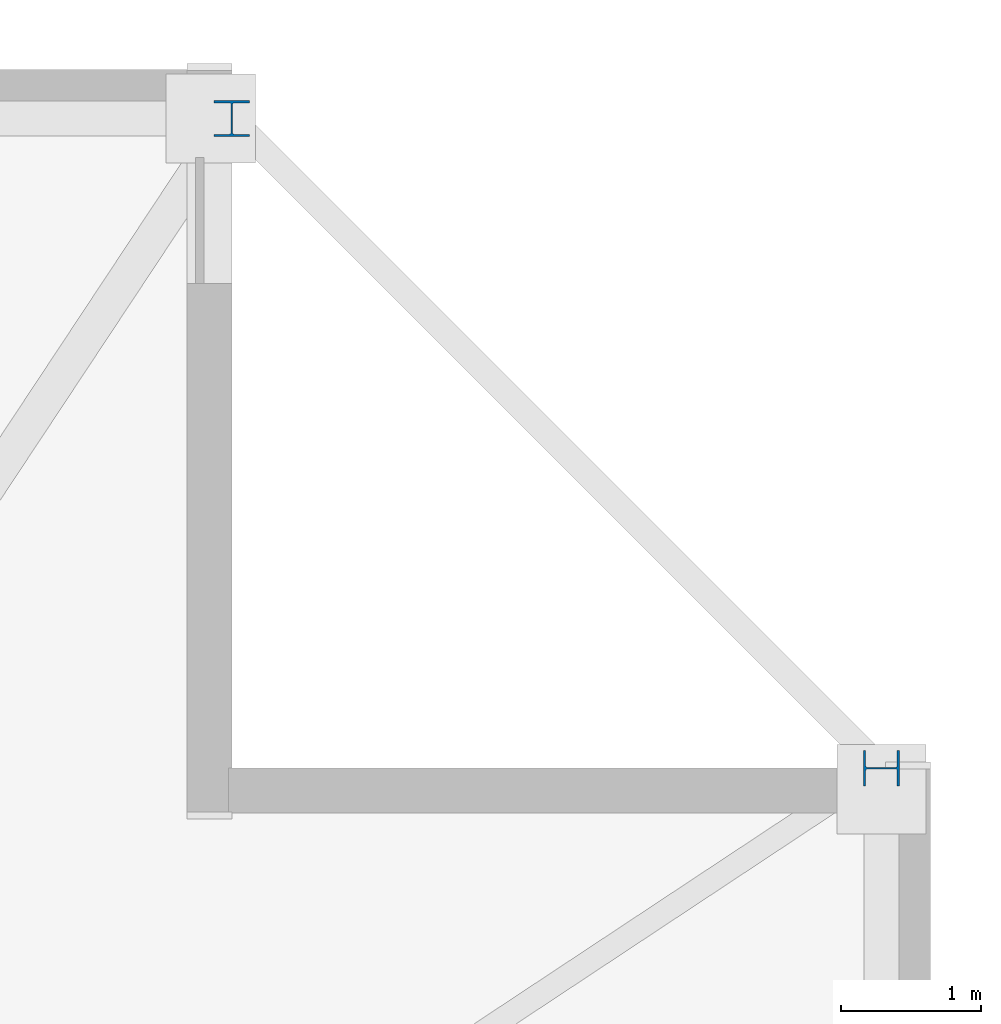
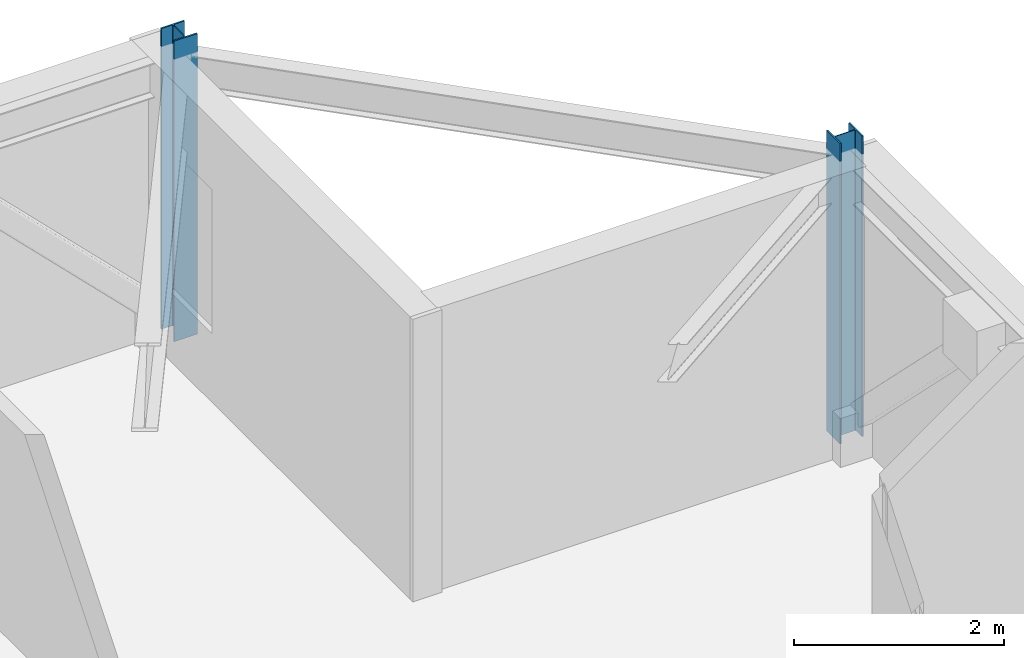
# One storey, part 5 of 17: 2 columns.
"""IFC4 building model written with IfcOpenShell, lengths in metres."""

from ifc_helpers import new_model, si_unit, direction, frame, origin, origin_2d, place, context, subcontext, project, spatial, i_section, extrude, material, material_profile, profile_set, type_object, element, save


model = new_model("IFC4")

# Units and contexts
model_context = context("Model", 3, precision=1e-05, world=origin(), true_north=direction((0.0, 1.0)))
body_context = subcontext(model_context, "Body", "Model", "MODEL_VIEW")
ifc_project = project(units=[si_unit("LENGTHUNIT", "METRE"), si_unit("AREAUNIT", "SQUARE_METRE"), si_unit("VOLUMEUNIT", "CUBIC_METRE"), si_unit("PLANEANGLEUNIT", "RADIAN"), si_unit("MASSUNIT", "GRAM", prefix="KILO")], contexts=[model_context])

# Site, building, storey
site_placement = place(None, origin())
site = spatial("IfcSite", under=ifc_project, at=site_placement, CompositionType="ELEMENT")
building_placement = place(site_placement, origin())
building = spatial("IfcBuilding", under=site, at=building_placement, Name="Cairnveth Concourse Tower", CompositionType="ELEMENT")
storey_placement = place(building_placement, frame((0.0, 0.0, 237.5)))
storey = spatial("IfcBuildingStorey", under=building, at=storey_placement, Name="L65", CompositionType="ELEMENT", Elevation=237.5)

# Columns
ifc_material = material(Name="Steel Grade 350", Category="steel")
ifc_material_profile = material_profile(ifc_material, i_section(OverallWidth=0.256103515625, OverallDepth=0.260009765625, WebThickness=0.010498046875, FlangeThickness=0.017333984375, FilletRadius=0.012939453125, at=origin_2d()), Name="250UC89.5")
ifc_profile_set = profile_set([ifc_material_profile], Name="Steel Grade 350")
column_type = type_object("IfcColumnType", Name="UNIVERSAL STEEL COLUMN 250UC89.5", PredefinedType="COLUMN", material=ifc_profile_set)
for number, where, z_axis, x_axis, name in (
    (1, (74.14990234375, 56.5, 0.0), (0.0, 0.0, 1.0), (0.0, 1.0, 0.0), "Column P-E4 L65"),
    (2, (69.5, 61.14990234375, 0.0), (0.0, 0.0, 1.0), (1.0, 0.0, 0.0), "Column P-N1 L65"),
):
    element("IfcColumn", number, at=place(storey_placement, frame(where, z_axis=z_axis, x_axis=x_axis)), inside=storey, type_object=column_type, Name=name, PredefinedType="COLUMN", context=body_context, shape_type="SweptSolid", body=[
        extrude(i_section(OverallWidth=0.256103515625, OverallDepth=0.260009765625, WebThickness=0.010498046875, FlangeThickness=0.017333984375, FilletRadius=0.012939453125, at=origin_2d()), origin(), (0.0, 0.0, 1.0), 3.5),
    ])

save(model, "model.ifc")
